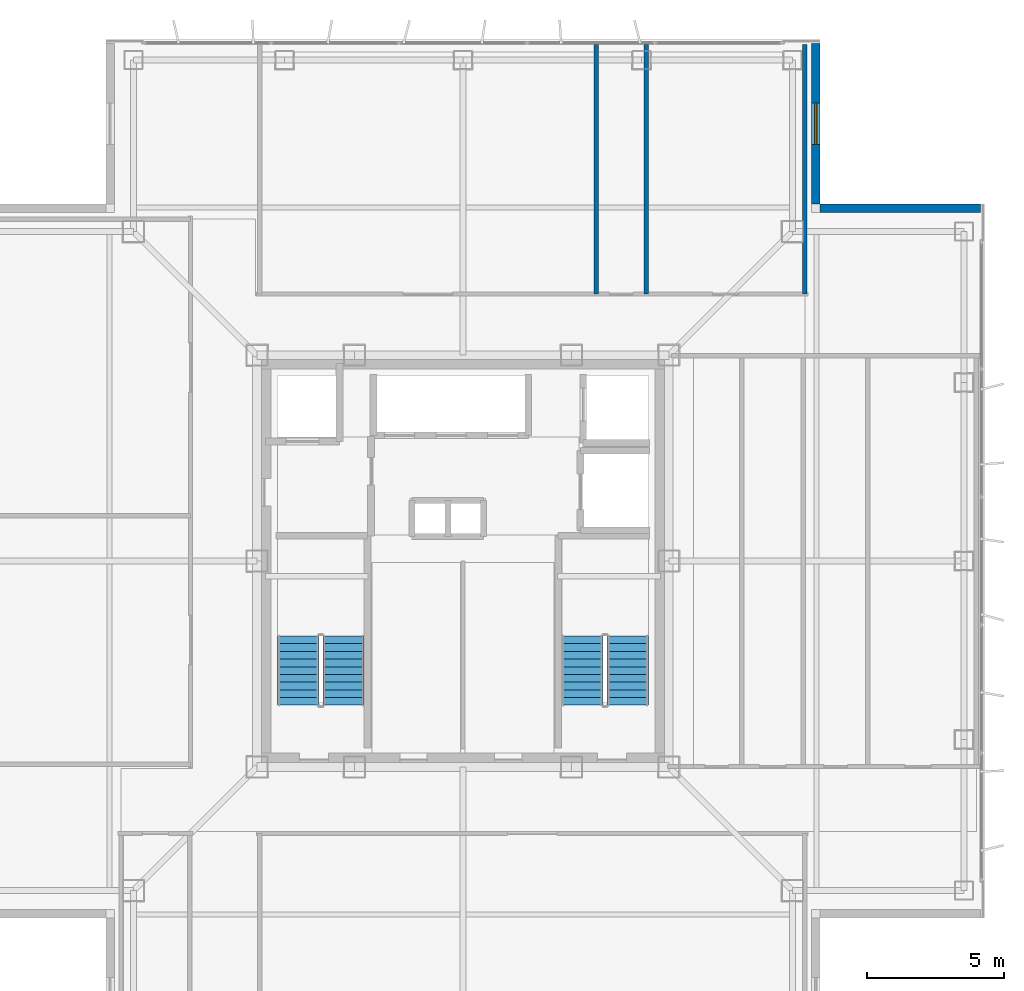
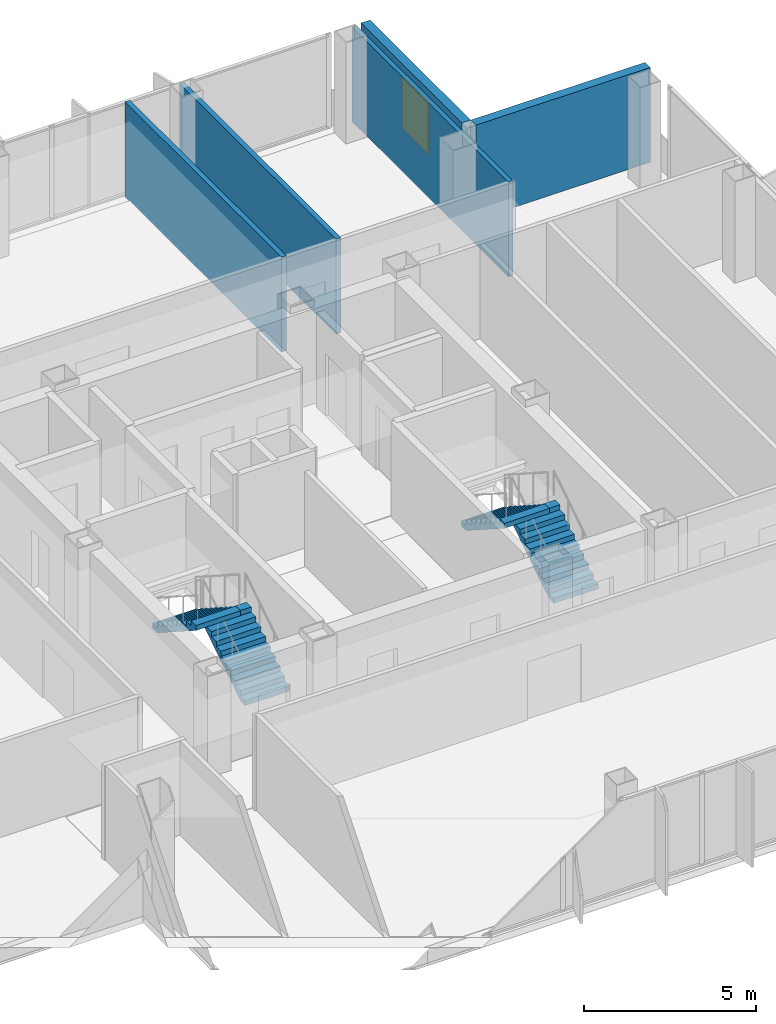
# One storey, part 9 of 15: 5 walls, 4 stair flights, 1 window, 1 opening, 2 elements without a shape of their own.
"""IFC4 building model written with IfcOpenShell, lengths in metres."""

from ifc_helpers import new_model, si_unit, direction, frame, frame_2d, origin, place, context, subcontext, project, spatial, polyline, rectangle, outline, extrude, material, layer, layer_set, type_object, element, fill, aggregate, save


model = new_model("IFC4")

# Units and contexts
model_context = context("Model", 3, precision=1e-05, world=origin(), true_north=direction((0.0, 1.0)))
body_context = subcontext(model_context, "Body", "Model", "MODEL_VIEW")
ifc_project = project(units=[si_unit("LENGTHUNIT", "METRE"), si_unit("AREAUNIT", "SQUARE_METRE"), si_unit("VOLUMEUNIT", "CUBIC_METRE"), si_unit("PLANEANGLEUNIT", "RADIAN"), si_unit("MASSUNIT", "GRAM", prefix="KILO")], contexts=[model_context])

# Site, building, storey
site_placement = place(None, origin())
site = spatial("IfcSite", under=ifc_project, at=site_placement, CompositionType="ELEMENT")
building_placement = place(site_placement, origin())
building = spatial("IfcBuilding", under=site, at=building_placement, Name="Trevonay Congress Spire", CompositionType="ELEMENT")
storey_placement = place(building_placement, frame((0.0, 0.0, 261.199951171875)))
storey = spatial("IfcBuildingStorey", under=building, at=storey_placement, Name="L68", CompositionType="ELEMENT", Elevation=261.199951171875)

# Wall, opening, window
ifc_material_1 = material(Name="Precast concrete C40/50", Category="concrete")
ifc_layer_1 = layer(ifc_material_1, 0.300048828125, Name="Precast concrete C40/50")
ifc_layer_set_1 = layer_set([ifc_layer_1], Name="Precast concrete C40/50")
wall_type_1 = type_object("IfcWallType", Name="WAL-EXT-PRECAST-300", PredefinedType="SOLIDWALL", material=ifc_layer_set_1)
wall_1_placement = place(storey_placement, frame((12.85009765625, 18.85009765625, 0.0), z_axis=(0.0, 0.0, 1.0), x_axis=(0.0, -1.0, 0.0)))
wall_1 = element("IfcWall", 1, at=wall_1_placement, inside=storey, type_object=wall_type_1, Name="L68 NE re-entrant notch exterior wall 1", PredefinedType="SOLIDWALL", context=body_context, shape_type="SweptSolid", body=[
    extrude(rectangle(XDim=5.85009765625, YDim=0.300048828125, at=frame_2d((2.925048828125, 0.0))), origin(), (0.0, 0.0, 1.0), 3.360107421875),
])
opening_placement = place(wall_1_placement, frame((2.175048828125, 0.0, 0.89990234375)))
opening = element("IfcOpeningElement", 2, at=opening_placement, cuts=wall_1, Name="Opening WN03", PredefinedType="OPENING", context=body_context, shape_type="SweptSolid", body=[
    extrude(rectangle(XDim=1.5, YDim=1.800048828125, at=frame_2d((0.75, 0.89990234375))), frame((0.0, 0.16015625, 0.0), z_axis=(0.0, -1.0, 0.0), x_axis=(1.0, 0.0, 0.0)), (0.0, 0.0, 1.0), 0.320068359375),
])
ifc_material_2 = material(Name="Insulated Low-E Vision Glass IGU", Category="glass")
window_type = type_object("IfcWindowType", Name="WIN-NOTCH-150X180", PartitioningType="SINGLE_PANEL", PredefinedType="WINDOW", material=ifc_material_2)
window_placement = place(opening_placement, origin())
window = element("IfcWindow", 3, at=window_placement, inside=storey, type_object=window_type, Name="L68 NE corner notch window", OverallHeight=1.800048828125, OverallWidth=1.5, PartitioningType="SINGLE_PANEL", PredefinedType="WINDOW", context=body_context, shape_type="SweptSolid", body=[
    extrude(rectangle(XDim=1.5, YDim=1.800048828125, at=frame_2d((0.75, 0.89990234375))), frame((0.0, 0.030029296875, 0.0), z_axis=(0.0, -1.0, 0.0), x_axis=(1.0, 0.0, 0.0)), (0.0, 0.0, 1.0), 0.06005859375),
])
fill(opening, window)

# Walls
wall_2_placement = place(storey_placement, frame((18.85009765625, 12.85009765625, 0.0), z_axis=(0.0, 0.0, 1.0), x_axis=(-1.0, 0.0, 0.0)))
element("IfcWall", 4, at=wall_2_placement, inside=storey, type_object=wall_type_1, Name="L68 NE re-entrant notch exterior wall 2", PredefinedType="SOLIDWALL", context=body_context, shape_type="SweptSolid", body=[
    extrude(rectangle(XDim=5.85009765625, YDim=0.300048828125, at=frame_2d((2.925048828125, 0.0))), origin(), (0.0, 0.0, 1.0), 3.360107421875),
])
ifc_material_3 = material(Name="Concrete C40/50", Category="concrete")
ifc_layer_2 = layer(ifc_material_3, 0.14990234375, Name="Concrete C40/50")
ifc_layer_set_2 = layer_set([ifc_layer_2], Name="Concrete C40/50")
wall_type_2 = type_object("IfcWallType", Name="WAL-PART-150", PredefinedType="PARTITIONING", material=ifc_layer_set_2)
wall_3_placement = place(storey_placement, frame((12.449951171875, 9.72998046875, 0.0), z_axis=(0.0, 0.0, 1.0), x_axis=(0.0, 1.0, 0.0)))
element("IfcWall", 5, at=wall_3_placement, inside=storey, type_object=wall_type_2, Name="L68 interior wall WP-L68N-DIV3", PredefinedType="PARTITIONING", context=body_context, shape_type="SweptSolid", body=[
    extrude(rectangle(XDim=9.090087890625, YDim=0.14990234375, at=frame_2d((4.544921875, 0.0))), origin(), (0.0, 0.0, 1.0), 3.360107421875),
])
ifc_layer_3 = layer(ifc_material_3, 0.1650390625, Name="Concrete C40/50")
ifc_layer_set_3 = layer_set([ifc_layer_3], Name="Concrete C40/50")
wall_type_3 = type_object("IfcWallType", Name="WAL-WET-165", PredefinedType="PLUMBINGWALL", material=ifc_layer_set_3)
for number, where, z_axis, x_axis, name in (
    (6, (6.679931640625, 9.72998046875, 0.0), (0.0, 0.0, 1.0), (0.0, 1.0, 0.0), "L68 interior wall WP-L68N-WCS2"),
    (7, (4.85009765625, 9.72998046875, 0.0), (0.0, 0.0, 1.0), (0.0, 1.0, 0.0), "L68 interior wall WP-L68N-DIV2"),
):
    element("IfcWall", number, at=place(storey_placement, frame(where, z_axis=z_axis, x_axis=x_axis)), inside=storey, type_object=wall_type_3, Name=name, PredefinedType="PLUMBINGWALL", context=body_context, shape_type="SweptSolid", body=[
        extrude(rectangle(XDim=9.090087890625, YDim=0.1650390625, at=frame_2d((4.544921875, 0.0))), origin(), (0.0, 0.0, 1.0), 3.360107421875),
    ])

# Stair, stair flights
stair_type_1 = type_object("IfcStairType", Name="STR-ST-1", PredefinedType="HALF_TURN_STAIR", material=ifc_material_3)
stair_1_placement = place(storey_placement, origin())
stair_1 = element("IfcStair", 8, at=stair_1_placement, inside=storey, type_object=stair_type_1, Name="L68 Protected Exit Stair ST-1", PredefinedType="HALF_TURN_STAIR")
stair_flight_type_1 = type_object("IfcStairFlightType", Name="SFL-ST-1", PredefinedType="STRAIGHT", material=ifc_material_3)
stair_flight_1_placement = place(storey_placement, frame((-4.35009765625, -5.25, 0.0), z_axis=(0.0, 0.0, 1.0), x_axis=(0.0, 1.0, 0.0)))
stair_flight_1 = element("IfcStairFlight", 9, at=stair_flight_1_placement, type_object=stair_flight_type_1, Name="ST-1 flight 1", NumberOfRisers=10, NumberOfTreads=9, PredefinedType="STRAIGHT", RiserHeight=0.18, TreadLength=0.28, context=body_context, shape_type="SweptSolid", body=[
    extrude(outline(polyline([(0.0, 0.0), (0.0, 0.179931640625), (0.280029296875, 0.179931640625), (0.280029296875, 0.360107421875), (0.56005859375, 0.360107421875), (0.56005859375, 0.5400390625), (0.840087890625, 0.5400390625), (0.840087890625, 0.719970703125), (1.1201171875, 0.719970703125), (1.1201171875, 0.89990234375), (1.39990234375, 0.89990234375), (1.39990234375, 1.080078125), (1.679931640625, 1.080078125), (1.679931640625, 1.260009765625), (1.9599609375, 1.260009765625), (1.9599609375, 1.43994140625), (2.239990234375, 1.43994140625), (2.239990234375, 1.6201171875), (2.52001953125, 1.6201171875), (2.52001953125, 1.800048828125), (2.52001953125, 1.44189453125), (0.277099609375, 0.0), (0.0, 0.0)])), frame((0.0, 0.75, 0.0), z_axis=(0.0, -1.0, 0.0), x_axis=(1.0, 0.0, 0.0)), (0.0, 0.0, 1.0), 1.5),
])
stair_flight_2_placement = place(storey_placement, frame((-6.0, -2.72998046875, 1.800048828125), z_axis=(0.0, 0.0, 1.0), x_axis=(0.0, -1.0, 0.0)))
stair_flight_2 = element("IfcStairFlight", 10, at=stair_flight_2_placement, type_object=stair_flight_type_1, Name="ST-1 flight 2", NumberOfRisers=10, NumberOfTreads=9, PredefinedType="STRAIGHT", RiserHeight=0.18, TreadLength=0.28, context=body_context, shape_type="SweptSolid", body=[
    extrude(outline(polyline([(0.0, 0.0), (0.0, 0.179931640625), (0.280029296875, 0.179931640625), (0.280029296875, 0.360107421875), (0.56005859375, 0.360107421875), (0.56005859375, 0.5400390625), (0.840087890625, 0.5400390625), (0.840087890625, 0.719970703125), (1.1201171875, 0.719970703125), (1.1201171875, 0.89990234375), (1.39990234375, 0.89990234375), (1.39990234375, 1.080078125), (1.679931640625, 1.080078125), (1.679931640625, 1.260009765625), (1.9599609375, 1.260009765625), (1.9599609375, 1.43994140625), (2.239990234375, 1.43994140625), (2.239990234375, 1.6201171875), (2.52001953125, 1.6201171875), (2.52001953125, 1.800048828125), (2.52001953125, 1.44189453125), (0.277099609375, 0.0), (0.0, 0.0)])), frame((0.0, 0.75, 0.0), z_axis=(0.0, -1.0, 0.0), x_axis=(1.0, 0.0, 0.0)), (0.0, 0.0, 1.0), 1.5),
])
aggregate(stair_1, [stair_flight_1, stair_flight_2])

stair_type_2 = type_object("IfcStairType", Name="STR-ST-2", PredefinedType="HALF_TURN_STAIR", material=ifc_material_3)
stair_2_placement = place(storey_placement, origin())
stair_2 = element("IfcStair", 11, at=stair_2_placement, inside=storey, type_object=stair_type_2, Name="L68 Protected Exit Stair ST-2", PredefinedType="HALF_TURN_STAIR")
stair_flight_type_2 = type_object("IfcStairFlightType", Name="SFL-ST-2", PredefinedType="STRAIGHT", material=ifc_material_3)
stair_flight_3_placement = place(storey_placement, frame((6.0, -5.25, 0.0), z_axis=(0.0, 0.0, 1.0), x_axis=(0.0, 1.0, 0.0)))
stair_flight_3 = element("IfcStairFlight", 12, at=stair_flight_3_placement, type_object=stair_flight_type_2, Name="ST-2 flight 1", NumberOfRisers=10, NumberOfTreads=9, PredefinedType="STRAIGHT", RiserHeight=0.18, TreadLength=0.28, context=body_context, shape_type="SweptSolid", body=[
    extrude(outline(polyline([(0.0, 0.0), (0.0, 0.179931640625), (0.280029296875, 0.179931640625), (0.280029296875, 0.360107421875), (0.56005859375, 0.360107421875), (0.56005859375, 0.5400390625), (0.840087890625, 0.5400390625), (0.840087890625, 0.719970703125), (1.1201171875, 0.719970703125), (1.1201171875, 0.89990234375), (1.39990234375, 0.89990234375), (1.39990234375, 1.080078125), (1.679931640625, 1.080078125), (1.679931640625, 1.260009765625), (1.9599609375, 1.260009765625), (1.9599609375, 1.43994140625), (2.239990234375, 1.43994140625), (2.239990234375, 1.6201171875), (2.52001953125, 1.6201171875), (2.52001953125, 1.800048828125), (2.52001953125, 1.44189453125), (0.277099609375, 0.0), (0.0, 0.0)])), frame((0.0, 0.75, 0.0), z_axis=(0.0, -1.0, 0.0), x_axis=(1.0, 0.0, 0.0)), (0.0, 0.0, 1.0), 1.5),
])
stair_flight_4_placement = place(storey_placement, frame((4.35009765625, -2.72998046875, 1.800048828125), z_axis=(0.0, 0.0, 1.0), x_axis=(0.0, -1.0, 0.0)))
stair_flight_4 = element("IfcStairFlight", 13, at=stair_flight_4_placement, type_object=stair_flight_type_2, Name="ST-2 flight 2", NumberOfRisers=10, NumberOfTreads=9, PredefinedType="STRAIGHT", RiserHeight=0.18, TreadLength=0.28, context=body_context, shape_type="SweptSolid", body=[
    extrude(outline(polyline([(0.0, 0.0), (0.0, 0.179931640625), (0.280029296875, 0.179931640625), (0.280029296875, 0.360107421875), (0.56005859375, 0.360107421875), (0.56005859375, 0.5400390625), (0.840087890625, 0.5400390625), (0.840087890625, 0.719970703125), (1.1201171875, 0.719970703125), (1.1201171875, 0.89990234375), (1.39990234375, 0.89990234375), (1.39990234375, 1.080078125), (1.679931640625, 1.080078125), (1.679931640625, 1.260009765625), (1.9599609375, 1.260009765625), (1.9599609375, 1.43994140625), (2.239990234375, 1.43994140625), (2.239990234375, 1.6201171875), (2.52001953125, 1.6201171875), (2.52001953125, 1.800048828125), (2.52001953125, 1.44189453125), (0.277099609375, 0.0), (0.0, 0.0)])), frame((0.0, 0.75, 0.0), z_axis=(0.0, -1.0, 0.0), x_axis=(1.0, 0.0, 0.0)), (0.0, 0.0, 1.0), 1.5),
])
aggregate(stair_2, [stair_flight_3, stair_flight_4])

save(model, "model.ifc")
